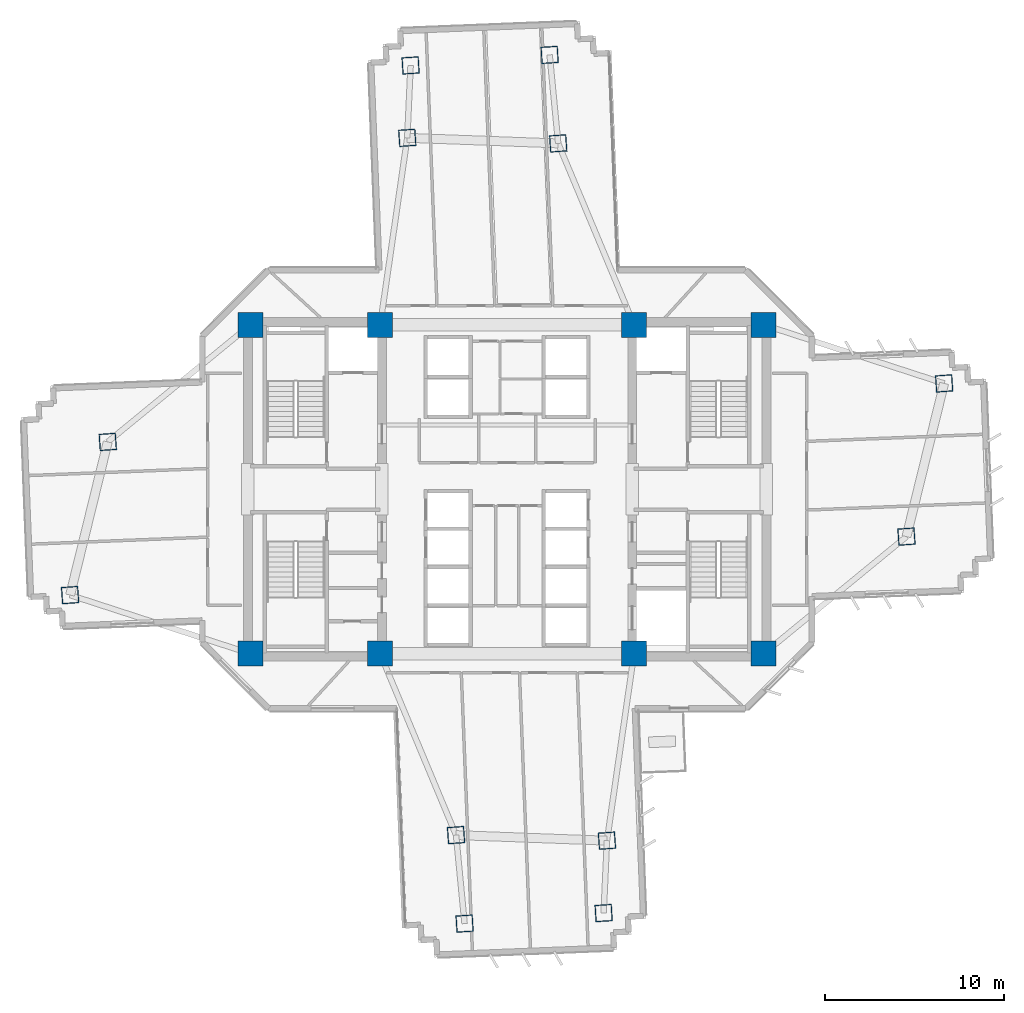
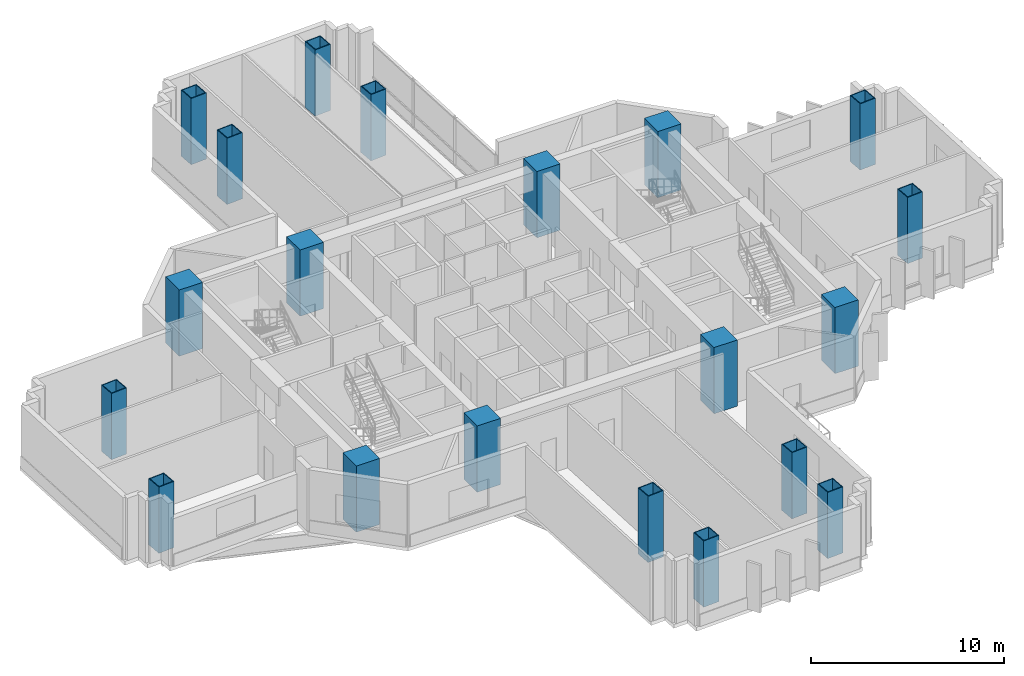
# One storey, part 1 of 16: 20 columns.
"""IFC4 building model written with IfcOpenShell, lengths in metres."""

from ifc_helpers import new_model, si_unit, direction, frame, origin, origin_2d, place, context, subcontext, project, spatial, rectangle, hollow_rectangle, extrude, source, transform, mapped, material, material_profile, profile_set, type_object, element, save


model = new_model("IFC4")

# Units and contexts
model_context = context("Model", 3, precision=1e-05, world=origin(), true_north=direction((0.0, 1.0)))
body_context = subcontext(model_context, "Body", "Model", "MODEL_VIEW")
ifc_project = project(units=[si_unit("LENGTHUNIT", "METRE"), si_unit("AREAUNIT", "SQUARE_METRE"), si_unit("VOLUMEUNIT", "CUBIC_METRE"), si_unit("PLANEANGLEUNIT", "RADIAN"), si_unit("MASSUNIT", "GRAM", prefix="KILO")], contexts=[model_context])

# Site, building, storey
site_placement = place(None, origin())
site = spatial("IfcSite", under=ifc_project, at=site_placement, CompositionType="ELEMENT")
building_placement = place(site_placement, origin())
building = spatial("IfcBuilding", under=site, at=building_placement, Name="Zahravan Cultural Tower", CompositionType="ELEMENT")
storey_placement = place(building_placement, frame((0.0, 0.0, 54.300048828125)))
storey = spatial("IfcBuildingStorey", under=building, at=storey_placement, Name="L11", CompositionType="ELEMENT", Elevation=54.300048828125)

# Columns
ifc_material_1 = material(Name="Concrete C60/75", Category="concrete")
ifc_material_profile_1 = material_profile(ifc_material_1, rectangle(XDim=1.39990234375, YDim=1.39990234375, at=origin_2d()), Name="RC1400X1400")
ifc_profile_set_1 = profile_set([ifc_material_profile_1], Name="Concrete C60/75")
column_type_1 = type_object("IfcColumnType", Name="COL-RC1400", PredefinedType="COLUMN", material=ifc_profile_set_1)
shared_shape_1 = source(origin(), body_context, "Body", "SweptSolid", [
    extrude(rectangle(XDim=1.39990234375, YDim=1.39990234375, at=origin_2d()), origin(), (0.0, 0.0, 1.0), 4.199951171875),
])
for number, where, z_axis, x_axis, name in (
    (1, (21.64990234375, 17.800048828125, 0.0), (0.0, 0.0, 1.0), (1.0, 0.0, 0.0), "L11 Column CC-W1"),
    (2, (28.89990234375, 17.800048828125, 0.0), (0.0, 0.0, 1.0), (1.0, 0.0, 0.0), "L11 Column CC-W2"),
    (3, (21.64990234375, 36.199951171875, 0.0), (0.0, 0.0, 1.0), (1.0, 0.0, 0.0), "L11 Column CC-W3"),
    (4, (28.89990234375, 36.199951171875, 0.0), (0.0, 0.0, 1.0), (1.0, 0.0, 0.0), "L11 Column CC-W4"),
    (5, (43.10009765625, 17.800048828125, 0.0), (0.0, 0.0, 1.0), (1.0, 0.0, 0.0), "L11 Column CC-E1"),
    (6, (50.35009765625, 17.800048828125, 0.0), (0.0, 0.0, 1.0), (1.0, 0.0, 0.0), "L11 Column CC-E2"),
    (7, (43.10009765625, 36.199951171875, 0.0), (0.0, 0.0, 1.0), (1.0, 0.0, 0.0), "L11 Column CC-E3"),
    (8, (50.35009765625, 36.199951171875, 0.0), (0.0, 0.0, 1.0), (1.0, 0.0, 0.0), "L11 Column CC-E4"),
):
    element("IfcColumn", number, at=place(storey_placement, frame(where, z_axis=z_axis, x_axis=x_axis)), inside=storey, type_object=column_type_1, Name=name, PredefinedType="COLUMN", context=body_context, shape_type="MappedRepresentation", body=[
        mapped(shared_shape_1, transform((0.0, 0.0, 0.0), x_axis=(1.0, 0.0, 0.0), y_axis=(0.0, 1.0, 0.0), z_axis=(0.0, 0.0, 1.0), scale=1.0)),
    ])
ifc_material_2 = material(Name="Steel ASTM A572 Grade 50", Category="steel")
ifc_material_profile_2 = material_profile(ifc_material_2, hollow_rectangle(XDim=0.949951171875, YDim=0.949951171875, WallThickness=0.050048828125, at=origin_2d()), Name="BOX950X950X50")
ifc_profile_set_2 = profile_set([ifc_material_profile_2], Name="Steel ASTM A572 Grade 50")
column_type_2 = type_object("IfcColumnType", Name="COL-BOX950", PredefinedType="COLUMN", material=ifc_profile_set_2)
shared_shape_2 = source(origin(), body_context, "Body", "SweptSolid", [
    extrude(hollow_rectangle(XDim=0.949951171875, YDim=0.949951171875, WallThickness=0.050048828125, at=origin_2d()), origin(), (0.0, 0.0, 1.0), 4.199951171875),
])
for number, where, z_axis, x_axis, name in (
    (9, (58.339111328125, 24.351806640625, 0.0), (0.0, 0.0, 1.0), (0.99756405026, 0.069756473744, 0.0), "L11 Column Z1C-E1"),
    (10, (60.446533203125, 32.919677734375, 0.0), (0.0, 0.0, 1.0), (0.99756405026, 0.069756473744, 0.0), "L11 Column Z1C-E2"),
    (11, (38.857421875, 46.346435546875, 0.0), (0.0, 0.0, 1.0), (-0.069756473744, 0.99756405026, 0.0), "L11 Column Z1C-N1"),
    (12, (30.4150390625, 46.658203125, 0.0), (0.0, 0.0, 1.0), (-0.069756473744, 0.99756405026, 0.0), "L11 Column Z1C-N2"),
    (13, (13.660888671875, 29.648193359375, 0.0), (0.0, 0.0, 1.0), (0.99756405026, 0.069756473744, 0.0), "L11 Column Z1C-W1"),
    (14, (11.553466796875, 21.080322265625, 0.0), (0.0, 0.0, 1.0), (0.99756405026, 0.069756473744, 0.0), "L11 Column Z1C-W2"),
    (15, (33.142578125, 7.653564453125, 0.0), (0.0, 0.0, 1.0), (-0.069756473744, 0.99756405026, 0.0), "L11 Column Z1C-S1"),
    (16, (41.5849609375, 7.341796875, 0.0), (0.0, 0.0, 1.0), (-0.069756473744, 0.99756405026, 0.0), "L11 Column Z1C-S2"),
    (17, (38.379150390625, 51.29736328125, 0.0), (0.0, 0.0, 1.0), (-0.062790519529, 0.998026728428, 0.0), "L11 Column Z1T-N1"),
    (18, (30.6005859375, 50.707763671875, 0.0), (0.0, 0.0, 1.0), (-0.062790519529, 0.998026728428, 0.0), "L11 Column Z1T-N2"),
    (19, (33.620849609375, 2.70263671875, 0.0), (0.0, 0.0, 1.0), (-0.062790519529, 0.998026728428, 0.0), "L11 Column Z1T-S1"),
    (20, (41.3994140625, 3.292236328125, 0.0), (0.0, 0.0, 1.0), (-0.062790519529, 0.998026728428, 0.0), "L11 Column Z1T-S2"),
):
    element("IfcColumn", number, at=place(storey_placement, frame(where, z_axis=z_axis, x_axis=x_axis)), inside=storey, type_object=column_type_2, Name=name, PredefinedType="COLUMN", context=body_context, shape_type="MappedRepresentation", body=[
        mapped(shared_shape_2, transform((0.0, 0.0, 0.0), x_axis=(1.0, 0.0, 0.0), y_axis=(0.0, 1.0, 0.0), z_axis=(0.0, 0.0, 1.0), scale=1.0)),
    ])

save(model, "model.ifc")
